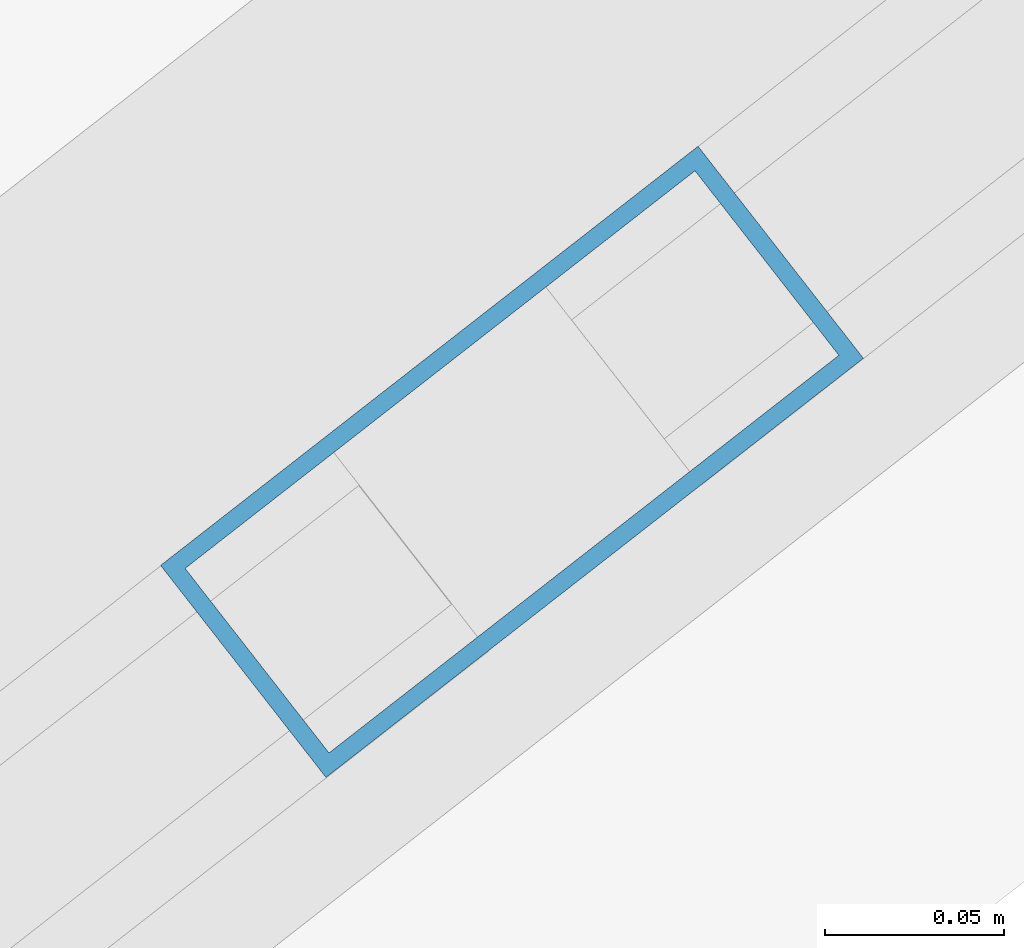
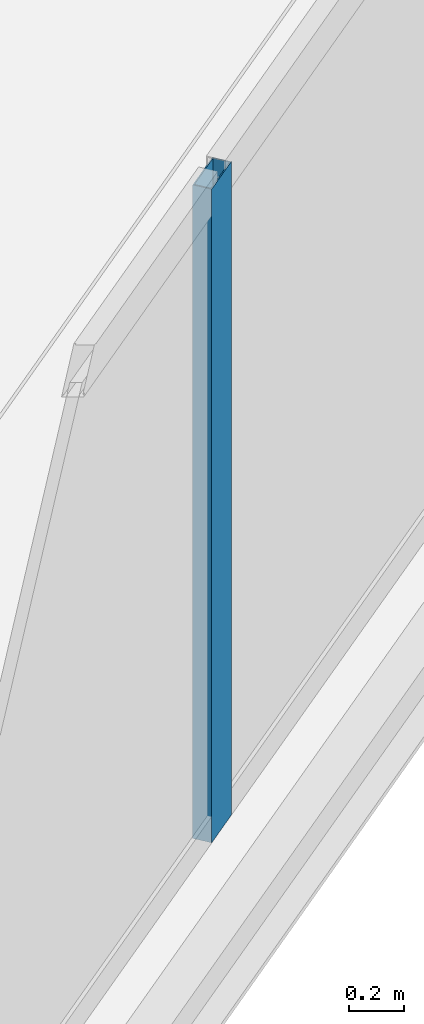
# One storey, part 6 of 32: 1 member, 1 element without a shape of its own.
"""IFC4 building model written with IfcOpenShell, lengths in metres."""

from ifc_helpers import new_model, si_unit, direction, frame, origin, origin_2d, place, context, subcontext, project, spatial, hollow_rectangle, extrude, material, material_profile, profile_set, type_object, element, aggregate, save


model = new_model("IFC4")

# Units and contexts
model_context = context("Model", 3, precision=1e-05, world=origin(), true_north=direction((0.0, 1.0)))
body_context = subcontext(model_context, "Body", "Model", "MODEL_VIEW")
ifc_project = project(units=[si_unit("LENGTHUNIT", "METRE"), si_unit("AREAUNIT", "SQUARE_METRE"), si_unit("VOLUMEUNIT", "CUBIC_METRE"), si_unit("PLANEANGLEUNIT", "RADIAN"), si_unit("MASSUNIT", "GRAM", prefix="KILO")], contexts=[model_context])

# Site, building, storey
site_placement = place(None, origin())
site = spatial("IfcSite", under=ifc_project, at=site_placement, CompositionType="ELEMENT")
building_placement = place(site_placement, origin())
building = spatial("IfcBuilding", under=site, at=building_placement, Name="Haldenkirk Collegiate Tower", CompositionType="ELEMENT")
storey_placement = place(building_placement, frame((0.0, 0.0, 155.699951171875)))
storey = spatial("IfcBuildingStorey", under=building, at=storey_placement, Name="L38", CompositionType="ELEMENT", Elevation=155.699951171875)

# Curtain wall, member
ifc_material = material(Name="Anodised architectural bronze aluminium", Category="aluminium")
curtain_wall_type = type_object("IfcCurtainWallType", Name="CW-SYS2-CONCAVE", PredefinedType="USERDEFINED", material=ifc_material)
curtain_wall_placement = place(storey_placement, origin())
curtain_wall = element("IfcCurtainWall", 1, at=curtain_wall_placement, inside=storey, type_object=curtain_wall_type, Name="L38 South concave recessed bronze-anodised curtain wall", ObjectType="UNITISED CURTAIN WALL", PredefinedType="USERDEFINED")
ifc_material_profile = material_profile(ifc_material, hollow_rectangle(XDim=0.074951171875, YDim=0.18994140625, WallThickness=0.0048828125, at=origin_2d()), Name="CW-MUL-02")
ifc_profile_set = profile_set([ifc_material_profile], Name="Anodised architectural bronze aluminium")
member_type = type_object("IfcMemberType", Name="CW-MUL-02", PredefinedType="MULLION", material=ifc_profile_set)
member_placement = place(storey_placement, frame((42.64501953125, 0.974853515625, 0.0), z_axis=(0.0, 0.0, 1.0), x_axis=(0.614973604921, -0.788547693707, 0.0)))
member = element("IfcMember", 2, at=member_placement, type_object=member_type, Name="CW-02 mullion 4", PredefinedType="MULLION", context=body_context, shape_type="SweptSolid", body=[
    extrude(hollow_rectangle(XDim=0.074951171875, YDim=0.18994140625, WallThickness=0.0048828125, at=origin_2d()), origin(), (0.0, 0.0, 1.0), 2.9111328125),
])
aggregate(curtain_wall, [member])

save(model, "model.ifc")
